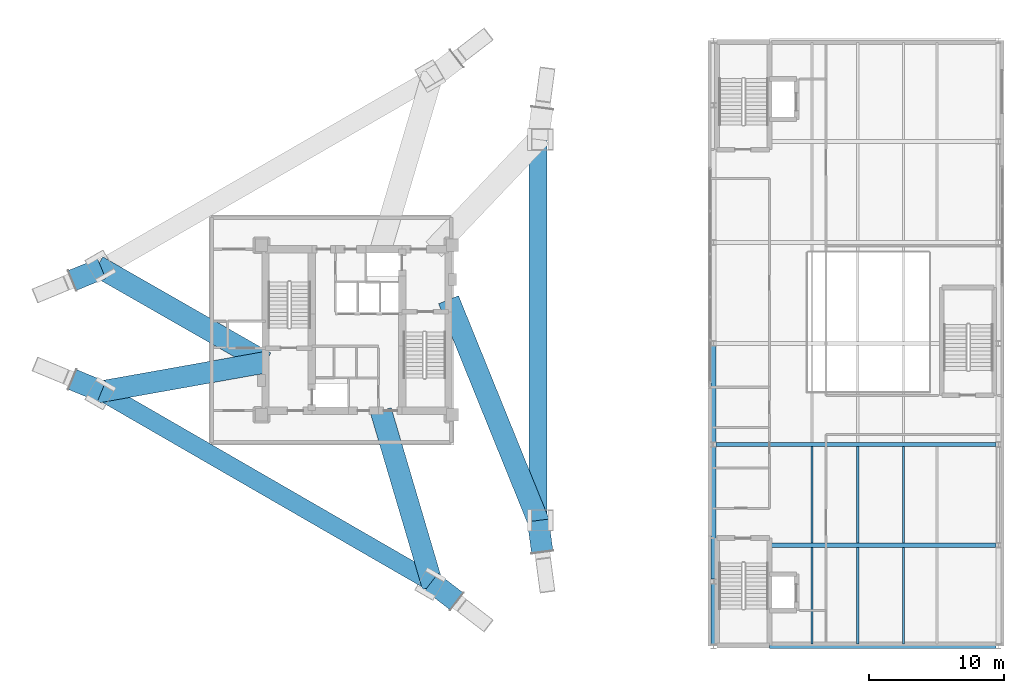
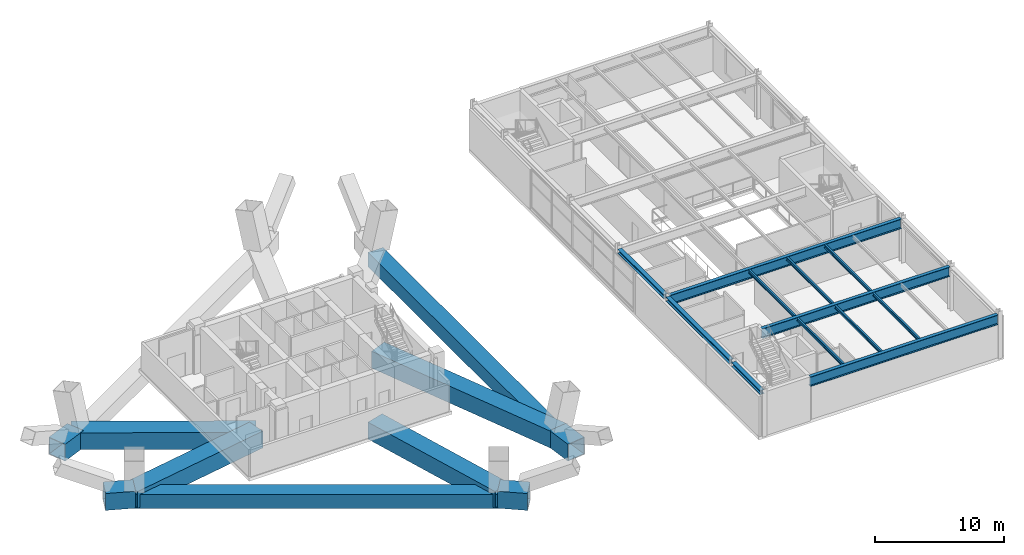
# One storey, part 3 of 16: 22 beams.
"""IFC4 building model written with IfcOpenShell, lengths in metres."""

from ifc_helpers import new_model, si_unit, direction, frame, origin, origin_2d, place, context, subcontext, project, spatial, hollow_rectangle, i_section, extrude, material, material_profile, profile_set, type_object, element, save


model = new_model("IFC4")

# Units and contexts
model_context = context("Model", 3, precision=1e-05, world=origin(), true_north=direction((0.0, 1.0)))
body_context = subcontext(model_context, "Body", "Model", "MODEL_VIEW")
ifc_project = project(units=[si_unit("LENGTHUNIT", "METRE"), si_unit("AREAUNIT", "SQUARE_METRE"), si_unit("VOLUMEUNIT", "CUBIC_METRE"), si_unit("PLANEANGLEUNIT", "RADIAN"), si_unit("MASSUNIT", "GRAM", prefix="KILO")], contexts=[model_context])

# Site, building, storey
site_placement = place(None, origin())
site = spatial("IfcSite", under=ifc_project, at=site_placement, CompositionType="ELEMENT")
building_placement = place(site_placement, origin())
building = spatial("IfcBuilding", under=site, at=building_placement, Name="Mersakhor Tower and Convention Hall", CompositionType="ELEMENT")
storey_placement = place(building_placement, frame((0.0, 0.0, 5.10009765625)))
storey = spatial("IfcBuildingStorey", under=building, at=storey_placement, Name="L01", CompositionType="ELEMENT", Elevation=5.10009765625)

# Beams
ifc_material_1 = material(Name="Steel S355", Category="steel")
ifc_material_profile_1 = material_profile(ifc_material_1, i_section(OverallWidth=0.165771484375, OverallDepth=0.306640625, WebThickness=0.006591796875, FlangeThickness=0.01171875, at=origin_2d()), Name="UB 305x165x46")
ifc_profile_set_1 = profile_set([ifc_material_profile_1], Name="Steel S355")
beam_type_1 = type_object("IfcBeamType", Name="BM-JST-305", PredefinedType="JOIST", material=ifc_profile_set_1)
for number, where, z_axis, x_axis, name in (
    (1, (62.800048828125, 3.40380859375, 4.026611328125), (0.0, 1.0, 0.0), (-1.0, 0.0, 0.0), "Convention L01 Composite Floor Joist CJ-1-62"),
    (2, (66.199951171875, 3.40380859375, 4.026611328125), (0.0, 1.0, 0.0), (-1.0, 0.0, 0.0), "Convention L01 Composite Floor Joist CJ-1-66"),
    (3, (69.60009765625, 3.40380859375, 4.026611328125), (0.0, 1.0, 0.0), (-1.0, 0.0, 0.0), "Convention L01 Composite Floor Joist CJ-1-69"),
    (4, (62.800048828125, 10.90380859375, 4.026611328125), (0.0, 1.0, 0.0), (-1.0, 0.0, 0.0), "Convention L01 Composite Floor Joist CJ-2-62"),
    (5, (66.199951171875, 10.90380859375, 4.026611328125), (0.0, 1.0, 0.0), (-1.0, 0.0, 0.0), "Convention L01 Composite Floor Joist CJ-2-66"),
    (6, (69.60009765625, 10.90380859375, 4.026611328125), (0.0, 1.0, 0.0), (-1.0, 0.0, 0.0), "Convention L01 Composite Floor Joist CJ-2-69"),
):
    element("IfcBeam", number, at=place(storey_placement, frame(where, z_axis=z_axis, x_axis=x_axis)), inside=storey, type_object=beam_type_1, Name=name, PredefinedType="JOIST", context=body_context, shape_type="SweptSolid", body=[
        extrude(i_section(OverallWidth=0.165771484375, OverallDepth=0.306640625, WebThickness=0.006591796875, FlangeThickness=0.01171875, at=origin_2d()), origin(), (0.0, 0.0, 1.0), 7.1923828125),
    ])
ifc_material_2 = material(Name="Steel S355", Category="steel")
ifc_material_profile_2 = material_profile(ifc_material_2, i_section(OverallWidth=0.3076171875, OverallDepth=0.926513671875, WebThickness=0.01953125, FlangeThickness=0.031982421875, at=origin_2d()), Name="UB 914x305x289")
ifc_profile_set_2 = profile_set([ifc_material_profile_2], Name="Steel S355")
beam_type_2 = type_object("IfcBeamType", Name="BM-PR-914", PredefinedType="BEAM", material=ifc_profile_set_2)
for number, where, z_axis, x_axis, name in (
    (7, (59.64990234375, 3.25, 3.716552734375), (1.0, 0.0, 0.0), (0.0, 1.0, 0.0), "Convention L01 Clear-Span Girder CG-1"),
    (8, (59.64990234375, 10.75, 3.716552734375), (1.0, 0.0, 0.0), (0.0, 1.0, 0.0), "Convention L01 Clear-Span Girder CG-2"),
):
    element("IfcBeam", number, at=place(storey_placement, frame(where, z_axis=z_axis, x_axis=x_axis)), inside=storey, type_object=beam_type_2, Name=name, PredefinedType="BEAM", context=body_context, shape_type="SweptSolid", body=[
        extrude(i_section(OverallWidth=0.3076171875, OverallDepth=0.926513671875, WebThickness=0.01953125, FlangeThickness=0.031982421875, at=origin_2d()), origin(), (0.0, 0.0, 1.0), 16.820068359375),
    ])
beam_1_placement = place(storey_placement, frame((55.679931640625, 18.25, 3.716552734375), z_axis=(1.0, 0.0, 0.0), x_axis=(0.0, 1.0, 0.0)))
element("IfcBeam", 9, at=beam_1_placement, inside=storey, type_object=beam_type_2, Name="Convention L01 Clear-Span Girder CG-3", PredefinedType="BEAM", context=body_context, shape_type="SweptSolid", body=[
    extrude(i_section(OverallWidth=0.3076171875, OverallDepth=0.926513671875, WebThickness=0.01953125, FlangeThickness=0.031982421875, at=origin_2d()), origin(), (0.0, 0.0, 1.0), 20.7900390625),
])
ifc_material_3 = material(Name="Steel S355", Category="steel")
ifc_material_profile_3 = material_profile(ifc_material_3, i_section(OverallWidth=0.374755859375, OverallDepth=0.37451171875, WebThickness=0.0166015625, FlangeThickness=0.027099609375, at=origin_2d()), Name="UC 356x368x202")
ifc_profile_set_3 = profile_set([ifc_material_profile_3], Name="Steel S355")
beam_type_3 = type_object("IfcBeamType", Name="BM-SPD-UC356", PredefinedType="SPANDREL", material=ifc_profile_set_3)
beam_2_placement = place(storey_placement, frame((55.5, 3.429931640625, 3.992919921875), z_axis=(0.0, 1.0, 0.0), x_axis=(-1.0, 0.0, 0.0)))
element("IfcBeam", 10, at=beam_2_placement, inside=storey, type_object=beam_type_3, Name="Convention L01 Edge Spandrel W1", PredefinedType="SPANDREL", context=body_context, shape_type="SweptSolid", body=[
    extrude(i_section(OverallWidth=0.374755859375, OverallDepth=0.37451171875, WebThickness=0.0166015625, FlangeThickness=0.027099609375, at=origin_2d()), origin(), (0.0, 0.0, 1.0), 4.440185546875),
])
beam_3_placement = place(storey_placement, frame((55.5, 8.22998046875, 3.992919921875), z_axis=(0.0, 1.0, 0.0), x_axis=(-1.0, 0.0, 0.0)))
element("IfcBeam", 11, at=beam_3_placement, inside=storey, type_object=beam_type_3, Name="Convention L01 Edge Spandrel W2", PredefinedType="SPANDREL", context=body_context, shape_type="SweptSolid", body=[
    extrude(i_section(OverallWidth=0.374755859375, OverallDepth=0.37451171875, WebThickness=0.0166015625, FlangeThickness=0.027099609375, at=origin_2d()), origin(), (0.0, 0.0, 1.0), 9.840087890625),
])
beam_4_placement = place(storey_placement, frame((55.5, 18.429931640625, 3.992919921875), z_axis=(0.0, 1.0, 0.0), x_axis=(-1.0, 0.0, 0.0)))
element("IfcBeam", 12, at=beam_4_placement, inside=storey, type_object=beam_type_3, Name="Convention L01 Edge Spandrel W3", PredefinedType="SPANDREL", context=body_context, shape_type="SweptSolid", body=[
    extrude(i_section(OverallWidth=0.374755859375, OverallDepth=0.37451171875, WebThickness=0.0166015625, FlangeThickness=0.027099609375, at=origin_2d()), origin(), (0.0, 0.0, 1.0), 7.14013671875),
])
ifc_material_4 = material(Name="Steel S460", Category="steel")
ifc_material_profile_4 = material_profile(ifc_material_4, hollow_rectangle(XDim=1.35009765625, YDim=1.35009765625, WallThickness=0.035888671875, at=origin_2d()), Name="SHS 1350x1350x36")
ifc_profile_set_4 = profile_set([ifc_material_profile_4], Name="Steel S460")
beam_type_4 = type_object("IfcBeamType", Name="BM-TR-BOX1350", PredefinedType="BEAM", material=ifc_profile_set_4)
beam_5_placement = place(storey_placement, frame((42.449951171875, 40.904541015625, -1.35009765625), z_axis=(0.0, -1.0, 0.0), x_axis=(1.0, 0.0, 0.0)))
element("IfcBeam", 13, at=beam_5_placement, inside=storey, type_object=beam_type_4, Name="L01 Pilotis Node Tie Transfer Girder PTB-F2", PredefinedType="BEAM", context=body_context, shape_type="SweptSolid", body=[
    extrude(hollow_rectangle(XDim=1.35009765625, YDim=1.35009765625, WallThickness=0.035888671875, at=origin_2d()), origin(), (0.0, 0.0, 1.0), 28.30908203125),
])
beam_6_placement = place(storey_placement, frame((34.533203125, 8.024658203125, -1.35009765625), z_axis=(-0.86602732334, 0.499996675217, 0.0), x_axis=(-0.499996675217, -0.86602732334, 0.0)))
element("IfcBeam", 14, at=beam_6_placement, inside=storey, type_object=beam_type_4, Name="L01 Pilotis Node Tie Transfer Girder PTB-F3", PredefinedType="BEAM", context=body_context, shape_type="SweptSolid", body=[
    extrude(hollow_rectangle(XDim=1.35009765625, YDim=1.35009765625, WallThickness=0.035888671875, at=origin_2d()), origin(), (0.0, 0.0, 1.0), 28.309326171875),
])
ifc_material_5 = material(Name="Steel S460", Category="steel")
ifc_material_profile_5 = material_profile(ifc_material_5, hollow_rectangle(XDim=1.60009765625, YDim=1.60009765625, WallThickness=0.0400390625, at=origin_2d()), Name="SHS 1600x1600x40")
ifc_profile_set_5 = profile_set([ifc_material_profile_5], Name="Steel S460")
beam_type_5 = type_object("IfcBeamType", Name="BM-TR-BOX1600", PredefinedType="BEAM", material=ifc_profile_set_5)
beam_7_placement = place(storey_placement, frame((22.199951171875, 24.35009765625, -1.10009765625), z_axis=(-0.867971489944, 0.496614027836, 0.0), x_axis=(-0.496614027836, -0.867971489944, 0.0)))
element("IfcBeam", 15, at=beam_7_placement, inside=storey, type_object=beam_type_5, Name="L01 Pilotis Core Tie Girder PRB-F1-A", PredefinedType="BEAM", context=body_context, shape_type="SweptSolid", body=[
    extrude(hollow_rectangle(XDim=1.60009765625, YDim=1.60009765625, WallThickness=0.0400390625, at=origin_2d()), origin(), (0.0, 0.0, 1.0), 14.386474609375),
])
beam_8_placement = place(storey_placement, frame((10.0166015625, 31.32080078125, -1.10009765625), z_axis=(-0.92445416579, -0.381293188182, 0.0), x_axis=(0.381293188182, -0.92445416579, 0.0)))
element("IfcBeam", 16, at=beam_8_placement, inside=storey, type_object=beam_type_5, Name="L01 Pilotis Y-Node Transfer Cap Girder YCB-F1-A", PredefinedType="BEAM", context=body_context, shape_type="SweptSolid", body=[
    extrude(hollow_rectangle(XDim=1.60009765625, YDim=1.60009765625, WallThickness=0.0400390625, at=origin_2d()), origin(), (0.0, 0.0, 1.0), 2.349853515625),
])
beam_9_placement = place(storey_placement, frame((35.800048828125, 29.0, -1.10009765625), z_axis=(0.375679679509, -0.926749576964, 0.0), x_axis=(0.926749576964, 0.375679679509, 0.0)))
element("IfcBeam", 17, at=beam_9_placement, inside=storey, type_object=beam_type_5, Name="L01 Pilotis Core Tie Girder PRB-F2-B", PredefinedType="BEAM", context=body_context, shape_type="SweptSolid", body=[
    extrude(hollow_rectangle(XDim=1.60009765625, YDim=1.60009765625, WallThickness=0.0400390625, at=origin_2d()), origin(), (0.0, 0.0, 1.0), 18.05126953125),
])
beam_10_placement = place(storey_placement, frame((42.449951171875, 12.595458984375, -1.10009765625), z_axis=(0.131945946883, -0.991256912763, 0.0), x_axis=(0.991256912763, 0.131945946883, 0.0)))
element("IfcBeam", 18, at=beam_10_placement, inside=storey, type_object=beam_type_5, Name="L01 Pilotis Y-Node Transfer Cap Girder YCB-F2-B", PredefinedType="BEAM", context=body_context, shape_type="SweptSolid", body=[
    extrude(hollow_rectangle(XDim=1.60009765625, YDim=1.60009765625, WallThickness=0.0400390625, at=origin_2d()), origin(), (0.0, 0.0, 1.0), 2.349853515625),
])
beam_11_placement = place(storey_placement, frame((30.77294921875, 20.75, -1.10009765625), z_axis=(0.283391854079, -0.959004200742, 0.0), x_axis=(0.959004200742, 0.283391854079, 0.0)))
element("IfcBeam", 19, at=beam_11_placement, inside=storey, type_object=beam_type_5, Name="L01 Pilotis Core Tie Girder PRB-F3-A", PredefinedType="BEAM", context=body_context, shape_type="SweptSolid", body=[
    extrude(hollow_rectangle(XDim=1.60009765625, YDim=1.60009765625, WallThickness=0.0400390625, at=origin_2d()), origin(), (0.0, 0.0, 1.0), 13.619384765625),
])
beam_12_placement = place(storey_placement, frame((22.199951171875, 24.35009765625, -1.10009765625), z_axis=(-0.984494618114, -0.17541478531, 0.0), x_axis=(0.17541478531, -0.984494618114, 0.0)))
element("IfcBeam", 20, at=beam_12_placement, inside=storey, type_object=beam_type_5, Name="L01 Pilotis Core Tie Girder PRB-F3-B", PredefinedType="BEAM", context=body_context, shape_type="SweptSolid", body=[
    extrude(hollow_rectangle(XDim=1.60009765625, YDim=1.60009765625, WallThickness=0.0400390625, at=origin_2d()), origin(), (0.0, 0.0, 1.0), 12.72509765625),
])
beam_13_placement = place(storey_placement, frame((34.533203125, 8.024658203125, -1.10009765625), z_axis=(0.792457893336, -0.609926624512, 0.0), x_axis=(0.609926624512, 0.792457893336, 0.0)))
element("IfcBeam", 21, at=beam_13_placement, inside=storey, type_object=beam_type_5, Name="L01 Pilotis Y-Node Transfer Cap Girder YCB-F3-A", PredefinedType="BEAM", context=body_context, shape_type="SweptSolid", body=[
    extrude(hollow_rectangle(XDim=1.60009765625, YDim=1.60009765625, WallThickness=0.0400390625, at=origin_2d()), origin(), (0.0, 0.0, 1.0), 2.35009765625),
])
beam_14_placement = place(storey_placement, frame((10.0166015625, 22.17919921875, -1.10009765625), z_axis=(-0.92445416579, 0.381293188182, 0.0), x_axis=(-0.381293188182, -0.92445416579, 0.0)))
element("IfcBeam", 22, at=beam_14_placement, inside=storey, type_object=beam_type_5, Name="L01 Pilotis Y-Node Transfer Cap Girder YCB-F3-B", PredefinedType="BEAM", context=body_context, shape_type="SweptSolid", body=[
    extrude(hollow_rectangle(XDim=1.60009765625, YDim=1.60009765625, WallThickness=0.0400390625, at=origin_2d()), origin(), (0.0, 0.0, 1.0), 2.349853515625),
])

save(model, "model.ifc")
